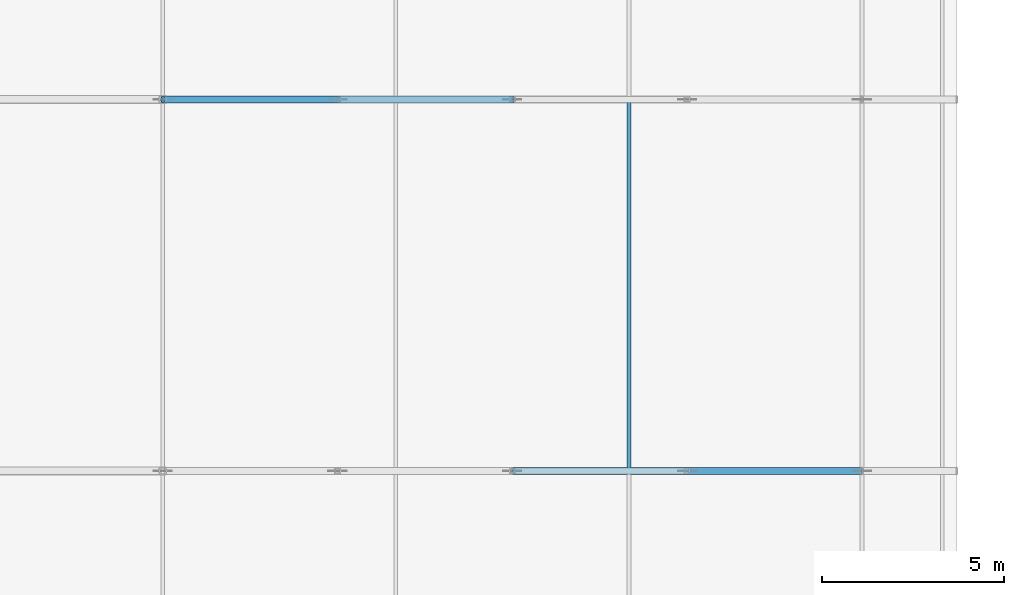
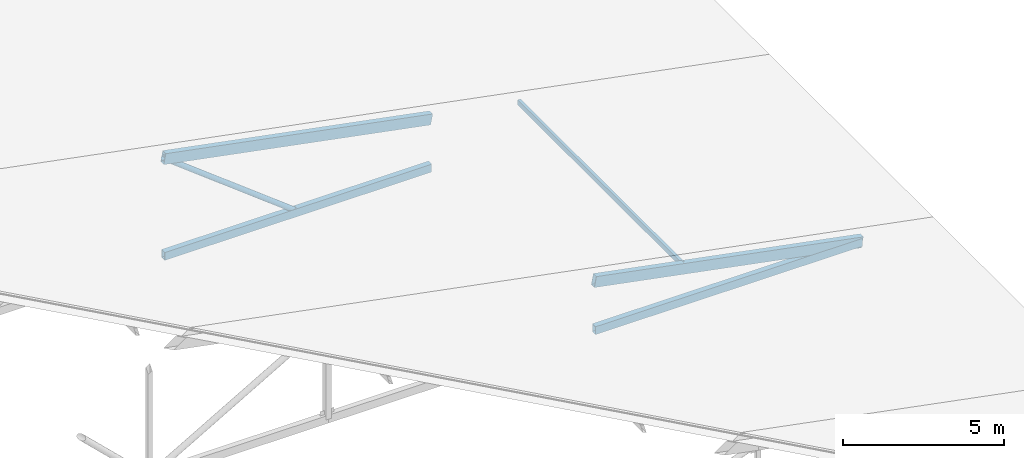
# One storey, part 60 of 200: 6 members.
"""IFC4 building model written with IfcOpenShell, lengths in metres."""

import ifcopenshell
import ifcopenshell.guid

model = None  # the IFC model being written
_history = None  # IfcOwnerHistory: only IFC2X3 demands one
_inside = {}  # id of a spatial element -> (the spatial element, [elements in it])
_under = {}  # id of a project, library or spatial element -> (it, [spatial elements below it])
_declared = {}  # id of a project -> (the project, [libraries it declares])
_typed = {}  # id of a type object -> (the type object, [elements of that type])
_made_of = {}  # id of a material, layer set ... -> (it, [elements and type objects made of it])


def new_model(schema):
    """Start an empty IFC model of exactly this schema.

    Asked for "IFC4X3", IfcOpenShell would pick the latest addendum, in which some entities
    have other attributes; the version numbers below select the first issue.
    IFC2X3 requires an IfcOwnerHistory on every rooted entity: one is made here for all.
    """
    global model, _history
    if schema == "IFC4X3":
        model = ifcopenshell.file(schema_version=(4, 3, 0, 0))
    else:
        model = ifcopenshell.file(schema=schema)
    _inside.clear()
    _under.clear()
    _declared.clear()
    _typed.clear()
    _made_of.clear()
    _history = None
    if model.schema == "IFC2X3":
        org = make("IfcOrganization", Name="unknown")
        user = make(
            "IfcPersonAndOrganization",
            ThePerson=make("IfcPerson", FamilyName="unknown"),
            TheOrganization=org,
        )
        app = make(
            "IfcApplication",
            ApplicationDeveloper=org,
            Version="unknown",
            ApplicationFullName="unknown",
            ApplicationIdentifier="unknown",
        )
        _history = make(
            "IfcOwnerHistory",
            OwningUser=user,
            OwningApplication=app,
            ChangeAction="ADDED",
            CreationDate=0,
        )
    return model


def make(cls, **values):
    """One entity of the class cls with the attributes given. An attribute that is None is left unset."""
    return model.create_entity(
        cls, **{name: value for name, value in values.items() if value is not None}
    )


def rooted(cls, **values):
    """An entity with a GlobalId (a new one), such as an element, a storey or a relation."""
    return make(cls, GlobalId=ifcopenshell.guid.new(), OwnerHistory=_history, **values)


def si_unit(unit_type, name, prefix=None):
    """IfcSIUnit, for example si_unit("LENGTHUNIT", "METRE", prefix="MILLI")."""
    return make("IfcSIUnit", UnitType=unit_type, Prefix=prefix, Name=name)


def assignment(units):
    """IfcUnitAssignment: the units of a project."""
    return None if units is None else make("IfcUnitAssignment", Units=units)


def point(xyz):
    """IfcCartesianPoint."""
    return None if xyz is None else make("IfcCartesianPoint", Coordinates=xyz)


def direction(xyz):
    """IfcDirection."""
    return None if xyz is None else make("IfcDirection", DirectionRatios=xyz)


def frame(location, z_axis=None, x_axis=None):
    """IfcAxis2Placement3D, a coordinate frame: its origin and axes. An axis left out is left unset."""
    return make(
        "IfcAxis2Placement3D",
        Location=point(location),
        Axis=direction(z_axis),
        RefDirection=direction(x_axis),
    )


def frame_2d(location, x_axis=None):
    """IfcAxis2Placement2D, a coordinate frame in the plane: its origin and x axis."""
    return make(
        "IfcAxis2Placement2D", Location=point(location), RefDirection=direction(x_axis)
    )


def origin():
    """The frame at (0, 0, 0) with its axes left unset."""
    return frame((0.0, 0.0, 0.0))


def origin_2d():
    """The frame at (0, 0) in the plane with its x axis left unset."""
    return frame_2d((0.0, 0.0))


def place(relative_to, where):
    """IfcLocalPlacement: puts the frame where relative to a parent placement (None: the world)."""
    return make(
        "IfcLocalPlacement", PlacementRelTo=relative_to, RelativePlacement=where
    )


def context(
    kind, dimensions, precision=None, world=None, true_north=None, identifier=None
):
    """IfcGeometricRepresentationContext, for example the 3D "Model" context."""
    return make(
        "IfcGeometricRepresentationContext",
        ContextIdentifier=identifier,
        ContextType=kind,
        CoordinateSpaceDimension=dimensions,
        Precision=precision,
        WorldCoordinateSystem=world,
        TrueNorth=true_north,
    )


def subcontext(parent, identifier, kind, view, scale=None):
    """IfcGeometricRepresentationSubContext, for example "Body" below "Model"."""
    return make(
        "IfcGeometricRepresentationSubContext",
        ContextIdentifier=identifier,
        ContextType=kind,
        ParentContext=parent,
        TargetScale=scale,
        TargetView=view,
    )


def project(units=None, contexts=None):
    """IfcProject with its units and contexts."""
    return rooted(
        "IfcProject",
        Name="project",
        RepresentationContexts=contexts,
        UnitsInContext=assignment(units),
    )


def spatial(cls, under=None, at=None, **own):
    """A site, building, storey or space (cls), placed at a placement, below another one or the project."""
    s = rooted(cls, ObjectPlacement=at, **own)
    if under is not None:
        _under.setdefault(under.id(), (under, []))[1].append(s)
    return s


def profile(cls, at=None, kind="AREA", **sizes):
    """A parametric profile (cls). Its sizes go by their IFC names, for example OverallWidth=200.0."""
    return make(cls, ProfileType=kind, Position=at, **sizes)


def hollow_rectangle(**sizes):
    """IfcRectangleHollowProfileDef."""
    return profile("IfcRectangleHollowProfileDef", **sizes)


def hollow_circle(**sizes):
    """IfcCircleHollowProfileDef."""
    return profile("IfcCircleHollowProfileDef", **sizes)


def extrude(swept, where, along, depth):
    """IfcExtrudedAreaSolid: the profile swept, set in the frame where, extruded along a direction by depth."""
    return make(
        "IfcExtrudedAreaSolid",
        SweptArea=swept,
        Position=where,
        ExtrudedDirection=direction(along),
        Depth=depth,
    )


def shape(context_of_items, identifier, shape_type, items):
    """IfcShapeRepresentation: the items that make up one representation, for example the "Body"."""
    return make(
        "IfcShapeRepresentation",
        ContextOfItems=context_of_items,
        RepresentationIdentifier=identifier,
        RepresentationType=shape_type,
        Items=items,
    )


def material(Name=None, Category=None):
    """IfcMaterial."""
    return make("IfcMaterial", Name=Name, Category=Category)


def material_profile(
    of_material, cross_section, Name=None, Category=None, Priority=None
):
    """IfcMaterialProfile: a cross section and its material."""
    return make(
        "IfcMaterialProfile",
        Name=Name,
        Material=of_material,
        Profile=cross_section,
        Priority=Priority,
        Category=Category,
    )


def profile_set(profiles, Name=None, composite=None):
    """IfcMaterialProfileSet."""
    return make(
        "IfcMaterialProfileSet",
        Name=Name,
        MaterialProfiles=profiles,
        CompositeProfile=composite,
    )


def made_of(thing, what):
    """Note that an element or type object is made of a material, layer set ...; save() writes the relation."""
    if what is not None:
        _made_of.setdefault(what.id(), (what, []))[1].append(thing)
    return thing


def type_object(cls, material=None, **own):
    """A type object (cls), such as IfcWallType, which elements share."""
    return made_of(rooted(cls, **own), material)


def element(
    cls,
    number,
    at=None,
    inside=None,
    cuts=None,
    type_object=None,
    material=None,
    context=None,
    identifier="Body",
    shape_type=None,
    held_by="IfcProductDefinitionShape",
    body=None,
    shapes=None,
    **own,
):
    """One element of the class cls, such as IfcWall. Its Tag is "e" and its number.

    at: its placement. inside: the storey or other place that contains it. cuts: it is an
    opening in that element (IfcRelVoidsElement). A single representation is given by context,
    identifier, shape_type and body (its items); several are given by shapes. held_by: the class
    of the entity that holds the representations. save() writes the other relations.
    """
    e = rooted(cls, Tag="e%d" % number, ObjectPlacement=at, **own)
    if body is not None:
        shapes = [shape(context, identifier, shape_type, body)]
    if shapes is not None:
        e.Representation = make(held_by, Representations=shapes)
    if inside is not None:
        _inside.setdefault(inside.id(), (inside, []))[1].append(e)
    if cuts is not None:
        rooted(
            "IfcRelVoidsElement", RelatingBuildingElement=cuts, RelatedOpeningElement=e
        )
    if type_object is not None:
        _typed.setdefault(type_object.id(), (type_object, []))[1].append(e)
    return made_of(e, material)


def aggregate(whole, parts):
    """IfcRelAggregates: a whole, such as a stair, and the parts it consists of."""
    return rooted("IfcRelAggregates", RelatingObject=whole, RelatedObjects=parts)


def save(model, path):
    """Write the relations noted so far, then the file.

    IfcRelAggregates (storeys below a building ...), IfcRelContainedInSpatialStructure (elements
    in a storey), IfcRelDefinesByType, IfcRelAssociatesMaterial and IfcRelDeclares: one each for
    every whole, place, type object, material and project.
    """
    for whole, parts in _under.values():
        aggregate(whole, parts)
    for where, things in _inside.values():
        rooted(
            "IfcRelContainedInSpatialStructure",
            RelatedElements=things,
            RelatingStructure=where,
        )
    for kind, things in _typed.values():
        rooted("IfcRelDefinesByType", RelatedObjects=things, RelatingType=kind)
    for what, things in _made_of.values():
        rooted("IfcRelAssociatesMaterial", RelatedObjects=things, RelatingMaterial=what)
    for by, libraries in _declared.values():
        rooted("IfcRelDeclares", RelatingContext=by, RelatedDefinitions=libraries)
    model.write(path)


model = new_model("IFC4")

# Units and contexts
model_context = context("Model", 3, precision=1e-05, world=origin(), true_north=direction((0.0, 1.0)))
body_context = subcontext(model_context, "Body", "Model", "MODEL_VIEW")
ifc_project = project(units=[si_unit("LENGTHUNIT", "METRE"), si_unit("AREAUNIT", "SQUARE_METRE"), si_unit("VOLUMEUNIT", "CUBIC_METRE"), si_unit("PLANEANGLEUNIT", "RADIAN"), si_unit("MASSUNIT", "GRAM", prefix="KILO")], contexts=[model_context])

# Site, building, storey
site_placement = place(None, origin())
site = spatial("IfcSite", under=ifc_project, at=site_placement, CompositionType="ELEMENT")
building_placement = place(site_placement, origin())
building = spatial("IfcBuilding", under=site, at=building_placement, Name="Vondelvale Polytechnic", CompositionType="ELEMENT")
storey_placement = place(building_placement, frame((0.0, 0.0, 13.800048828125)))
storey = spatial("IfcBuildingStorey", under=building, at=storey_placement, Name="L03", CompositionType="ELEMENT", Elevation=13.800048828125)

# Members
ifc_material = material(Name="Steel C350L0 (fy = 350 MPa)", Category="steel")
ifc_material_profile_1 = material_profile(ifc_material, hollow_rectangle(XDim=0.10009765625, YDim=0.199951171875, WallThickness=0.006103515625, at=origin_2d()), Name="200x100x6.0RHS")
ifc_profile_set_1 = profile_set([ifc_material_profile_1], Name="Steel C350L0 (fy = 350 MPa)")
member_type_1 = type_object("IfcMemberType", Name="PURLIN RHS200", PredefinedType="PURLIN", material=ifc_profile_set_1)
member_1_placement = place(storey_placement, frame((41.60009765625, 81.60009765625, 0.91455078125), z_axis=(0.0, 1.0, 0.0), x_axis=(-1.0, 0.0, 0.0)))
element("IfcMember", 1, at=member_1_placement, inside=storey, type_object=member_type_1, Name="Workshop roof purlin bay 4", PredefinedType="PURLIN", context=body_context, shape_type="SweptSolid", body=[
    extrude(hollow_rectangle(XDim=0.10009765625, YDim=0.199951171875, WallThickness=0.006103515625, at=origin_2d()), origin(), (0.0, 0.0, 1.0), 10.199951171875),
])
ifc_material_profile_2 = material_profile(ifc_material, hollow_rectangle(XDim=0.199951171875, YDim=0.300048828125, WallThickness=0.008056640625, at=origin_2d()), Name="300x200x8.0RHS")
ifc_profile_set_2 = profile_set([ifc_material_profile_2], Name="Steel C350L0 (fy = 350 MPa)")
member_type_2 = type_object("IfcMemberType", Name="ROOF TRUSS BOT CHORD 300RHS", PredefinedType="CHORD", material=ifc_profile_set_2)
member_2_placement = place(storey_placement, frame((38.39990234375, 81.60009765625, -0.420166015625), z_axis=(1.0, 0.0, 0.0), x_axis=(0.0, 1.0, 0.0)))
element("IfcMember", 2, at=member_2_placement, inside=storey, type_object=member_type_2, Name="ROOF TRUSS TR-04 bottom chord 3", PredefinedType="CHORD", context=body_context, shape_type="SweptSolid", body=[
    extrude(hollow_rectangle(XDim=0.199951171875, YDim=0.300048828125, WallThickness=0.008056640625, at=origin_2d()), origin(), (0.0, 0.0, 1.0), 9.60009765625),
])
member_3_placement = place(storey_placement, frame((28.800048828125, 91.800048828125, -0.420166015625), z_axis=(1.0, 0.0, 0.0), x_axis=(0.0, 1.0, 0.0)))
element("IfcMember", 3, at=member_3_placement, inside=storey, type_object=member_type_2, Name="ROOF TRUSS TR-05 bottom chord 2", PredefinedType="CHORD", context=body_context, shape_type="SweptSolid", body=[
    extrude(hollow_rectangle(XDim=0.199951171875, YDim=0.300048828125, WallThickness=0.008056640625, at=origin_2d()), origin(), (0.0, 0.0, 1.0), 9.599853515625),
])
ifc_material_profile_3 = material_profile(ifc_material, hollow_circle(Radius=0.096923828125, WallThickness=0.00634765625, at=origin_2d()), Name="193.7x6.4CHS")
ifc_profile_set_3 = profile_set([ifc_material_profile_3], Name="Steel C350L0 (fy = 350 MPa)")
member_type_3 = type_object("IfcMemberType", Name="ROOF TRUSS BRACE 193CHS", PredefinedType="BRACE", material=ifc_profile_set_3)
member_4_placement = place(storey_placement, frame((28.800048828125, 91.800048828125, 3.280029296875), z_axis=(0.791997617605, 0.0, -0.610524179463), x_axis=(0.0, 1.0, 0.0)))
element("IfcMember", 4, at=member_4_placement, inside=storey, type_object=member_type_3, Name="ROOF TRUSS TR-05 web diagonal 6", PredefinedType="BRACE", context=body_context, shape_type="SweptSolid", body=[
    extrude(hollow_circle(Radius=0.096923828125, WallThickness=0.00634765625, at=origin_2d()), origin(), (0.0, 0.0, 1.0), 6.060791015625),
])
ifc_material_profile_4 = material_profile(ifc_material, hollow_rectangle(XDim=0.199951171875, YDim=0.39990234375, WallThickness=0.010009765625, at=origin_2d()), Name="400x200x10.0RHS")
ifc_profile_set_4 = profile_set([ifc_material_profile_4], Name="Steel C350L0 (fy = 350 MPa)")
member_type_4 = type_object("IfcMemberType", Name="ROOF TRUSS TOP CHORD 400RHS", PredefinedType="CHORD", material=ifc_profile_set_4)
member_5_placement = place(storey_placement, frame((38.39990234375, 81.60009765625, 1.429931640625), z_axis=(0.981931919064, 0.0, -0.189234527304), x_axis=(0.0, 1.0, 0.0)))
element("IfcMember", 5, at=member_5_placement, inside=storey, type_object=member_type_4, Name="ROOF TRUSS TR-04 top chord 5", PredefinedType="CHORD", context=body_context, shape_type="SweptSolid", body=[
    extrude(hollow_rectangle(XDim=0.199951171875, YDim=0.39990234375, WallThickness=0.010009765625, at=origin_2d()), origin(), (0.0, 0.0, 1.0), 9.77685546875),
])
member_6_placement = place(storey_placement, frame((28.800048828125, 91.800048828125, 3.280029296875), z_axis=(0.981931024806, 0.0, -0.189239167518), x_axis=(0.0, 1.0, 0.0)))
element("IfcMember", 6, at=member_6_placement, inside=storey, type_object=member_type_4, Name="ROOF TRUSS TR-05 top chord 4", PredefinedType="CHORD", context=body_context, shape_type="SweptSolid", body=[
    extrude(hollow_rectangle(XDim=0.199951171875, YDim=0.39990234375, WallThickness=0.010009765625, at=origin_2d()), origin(), (0.0, 0.0, 1.0), 9.776611328125),
])

save(model, "model.ifc")
